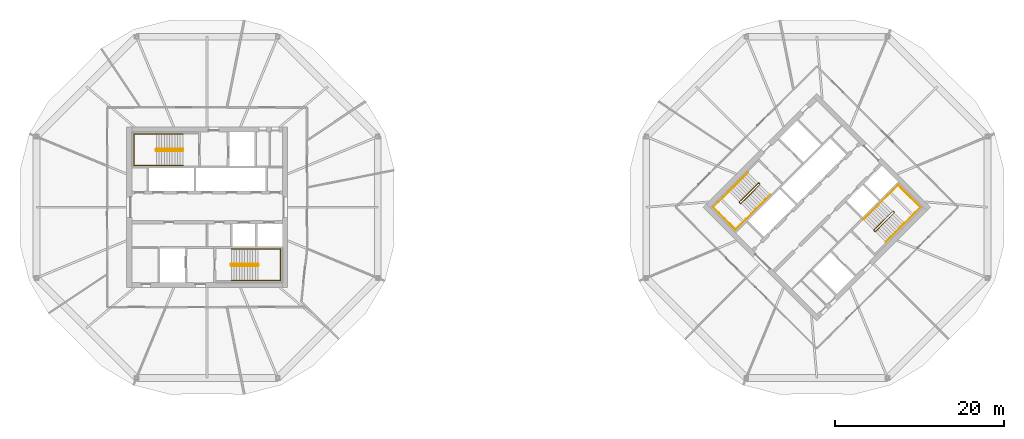
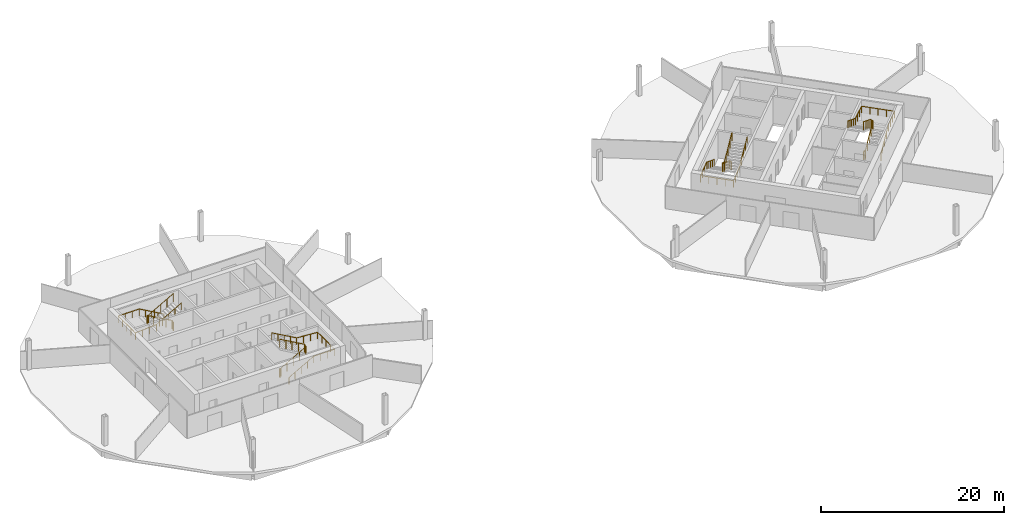
# One storey, part 10 of 10: 8 railings.
"""IFC4 building model written with IfcOpenShell, lengths in metres."""

from ifc_helpers import new_model, si_unit, direction, frame, origin, origin_2d, place, context, subcontext, project, spatial, circle, extrude, material, type_object, element, save


model = new_model("IFC4")

# Units and contexts
model_context = context("Model", 3, precision=1e-05, world=origin(), true_north=direction((0.0, 1.0)))
body_context = subcontext(model_context, "Body", "Model", "MODEL_VIEW")
ifc_project = project(units=[si_unit("LENGTHUNIT", "METRE"), si_unit("AREAUNIT", "SQUARE_METRE"), si_unit("VOLUMEUNIT", "CUBIC_METRE"), si_unit("PLANEANGLEUNIT", "RADIAN"), si_unit("MASSUNIT", "GRAM", prefix="KILO")], contexts=[model_context])

# Site, building, storey
site_placement = place(None, origin())
site = spatial("IfcSite", under=ifc_project, at=site_placement, CompositionType="ELEMENT")
building_placement = place(site_placement, origin())
building = spatial("IfcBuilding", under=site, at=building_placement, Name="Ogive Gate Towers", CompositionType="ELEMENT")
storey_placement = place(building_placement, frame((0.0, 0.0, 173.39990234375)))
storey = spatial("IfcBuildingStorey", under=building, at=storey_placement, Name="L41", CompositionType="ELEMENT", Elevation=173.39990234375)

# Railings
ifc_material = material(Name="Stainless steel", Category="steel")
railing_type_1 = type_object("IfcRailingType", Name="Stair guard 1100", PredefinedType="GUARDRAIL", material=ifc_material)
railing_1_placement = place(storey_placement, frame((-38.81494140625, 6.860107421875, 0.0)))
element("IfcRailing", 1, at=railing_1_placement, inside=storey, type_object=railing_type_1, Name="L41 ST1 stair guard 1", PredefinedType="GUARDRAIL", context=body_context, shape_type="SweptSolid", body=[
    extrude(circle(Radius=0.02392578125, at=origin_2d()), frame((0.0, 0.0, 1.076171875), z_axis=(0.0, -1.0, 0.0), x_axis=(1.0, 0.0, 0.0)), (0.0, 0.0, 1.0), 0.14501953125),
    extrude(circle(Radius=0.02392578125, at=origin_2d()), frame((0.0, -0.14501953125, 1.076171875), z_axis=(-0.186567429962, 0.726247849316, 0.661631812598), x_axis=(-0.968551454522, -0.24881334358, 0.0)), (0.0, 0.0, 1.0), 0.268310546875),
    extrude(circle(Radius=0.02392578125, at=origin_2d()), frame((-0.050048828125, 0.0498046875, 1.25341796875), z_axis=(-0.870572935281, 0.0, 0.492039393094), x_axis=(0.0, -1.0, 0.0)), (0.0, 0.0, 1.0), 3.602783203125),
    extrude(circle(Radius=0.02392578125, at=origin_2d()), frame((-3.1865234375, 0.0498046875, 3.0263671875), z_axis=(-0.707106781187, -0.707106781187, 0.0), x_axis=(0.707106781187, -0.707106781187, 0.0)), (0.0, 0.0, 1.0), 0.0703125),
    extrude(circle(Radius=0.02392578125, at=origin_2d()), frame((-3.236328125, 0.0, 3.0263671875), z_axis=(0.0, -1.0, 0.0), x_axis=(1.0, 0.0, 0.0)), (0.0, 0.0, 1.0), 0.14501953125),
    extrude(circle(Radius=0.02392578125, at=origin_2d()), frame((-3.236328125, -0.14501953125, 3.0263671875), z_axis=(0.261041864531, -0.262321481514, 0.929001929653), x_axis=(0.708833529934, 0.705375805398, 0.0)), (0.0, 0.0, 1.0), 0.190673828125),
    extrude(circle(Radius=0.02392578125, at=origin_2d()), frame((-3.1865234375, -0.195068359375, 3.20361328125), z_axis=(0.870572935281, 0.0, 0.492039393094), x_axis=(0.0, 1.0, 0.0)), (0.0, 0.0, 1.0), 3.602783203125),
    extrude(circle(Radius=0.02099609375, at=origin_2d()), origin(), (0.0, 0.0, 1.0), 1.052001953125),
    extrude(circle(Radius=0.02099609375, at=origin_2d()), frame((0.0, -0.14501953125, 0.0)), (0.0, 0.0, 1.0), 1.052001953125),
    extrude(circle(Radius=0.02099609375, at=origin_2d()), frame((-0.050048828125, 0.0498046875, 0.177490234375)), (0.0, 0.0, 1.0), 1.052001953125),
    extrude(circle(Radius=0.02099609375, at=origin_2d()), frame((-0.834228515625, 0.0498046875, 0.62060546875)), (0.0, 0.0, 1.0), 1.052001953125),
    extrude(circle(Radius=0.02099609375, at=origin_2d()), frame((-1.6181640625, 0.0498046875, 1.06396484375)), (0.0, 0.0, 1.0), 1.052001953125),
    extrude(circle(Radius=0.02099609375, at=origin_2d()), frame((-2.40234375, 0.0498046875, 1.507080078125)), (0.0, 0.0, 1.0), 1.052001953125),
    extrude(circle(Radius=0.02099609375, at=origin_2d()), frame((-3.1865234375, 0.0498046875, 1.9501953125)), (0.0, 0.0, 1.0), 1.052001953125),
    extrude(circle(Radius=0.02099609375, at=origin_2d()), frame((-3.236328125, 0.0, 1.9501953125)), (0.0, 0.0, 1.0), 1.052001953125),
    extrude(circle(Radius=0.02099609375, at=origin_2d()), frame((-3.236328125, -0.14501953125, 1.9501953125)), (0.0, 0.0, 1.0), 1.052001953125),
    extrude(circle(Radius=0.02099609375, at=origin_2d()), frame((-3.1865234375, -0.195068359375, 2.12744140625)), (0.0, 0.0, 1.0), 1.052001953125),
    extrude(circle(Radius=0.02099609375, at=origin_2d()), frame((-2.40234375, -0.195068359375, 2.570556640625)), (0.0, 0.0, 1.0), 1.052001953125),
    extrude(circle(Radius=0.02099609375, at=origin_2d()), frame((-1.6181640625, -0.195068359375, 3.013671875)), (0.0, 0.0, 1.0), 1.052001953125),
    extrude(circle(Radius=0.02099609375, at=origin_2d()), frame((-0.834228515625, -0.195068359375, 3.45703125)), (0.0, 0.0, 1.0), 1.052001953125),
    extrude(circle(Radius=0.02099609375, at=origin_2d()), frame((-0.050048828125, -0.195068359375, 3.900146484375)), (0.0, 0.0, 1.0), 1.052001953125),
])
railing_2_placement = place(storey_placement, frame((-33.18505859375, -6.860107421875, 0.0)))
element("IfcRailing", 2, at=railing_2_placement, inside=storey, type_object=railing_type_1, Name="L41 ST2 stair guard 1", PredefinedType="GUARDRAIL", context=body_context, shape_type="SweptSolid", body=[
    extrude(circle(Radius=0.02392578125, at=origin_2d()), frame((0.0, 0.0, 1.076171875), z_axis=(0.0, 1.0, 0.0), x_axis=(-1.0, 0.0, 0.0)), (0.0, 0.0, 1.0), 0.14501953125),
    extrude(circle(Radius=0.02392578125, at=origin_2d()), frame((0.0, 0.14501953125, 1.076171875), z_axis=(0.186567429962, -0.726247849316, 0.661631812598), x_axis=(0.968551454522, 0.24881334358, 0.0)), (0.0, 0.0, 1.0), 0.268310546875),
    extrude(circle(Radius=0.02392578125, at=origin_2d()), frame((0.050048828125, -0.0498046875, 1.25341796875), z_axis=(0.870572935281, 0.0, 0.492039393094), x_axis=(0.0, 1.0, 0.0)), (0.0, 0.0, 1.0), 3.602783203125),
    extrude(circle(Radius=0.02392578125, at=origin_2d()), frame((3.1865234375, -0.0498046875, 3.0263671875), z_axis=(0.707106781187, 0.707106781187, 0.0), x_axis=(-0.707106781187, 0.707106781187, 0.0)), (0.0, 0.0, 1.0), 0.0703125),
    extrude(circle(Radius=0.02392578125, at=origin_2d()), frame((3.236328125, 0.0, 3.0263671875), z_axis=(0.0, 1.0, 0.0), x_axis=(-1.0, 0.0, 0.0)), (0.0, 0.0, 1.0), 0.14501953125),
    extrude(circle(Radius=0.02392578125, at=origin_2d()), frame((3.236328125, 0.14501953125, 3.0263671875), z_axis=(-0.261041864531, 0.262321481514, 0.929001929653), x_axis=(-0.708833529934, -0.705375805398, 0.0)), (0.0, 0.0, 1.0), 0.190673828125),
    extrude(circle(Radius=0.02392578125, at=origin_2d()), frame((3.1865234375, 0.195068359375, 3.20361328125), z_axis=(-0.870572935281, 0.0, 0.492039393094), x_axis=(0.0, -1.0, 0.0)), (0.0, 0.0, 1.0), 3.602783203125),
    extrude(circle(Radius=0.02099609375, at=origin_2d()), origin(), (0.0, 0.0, 1.0), 1.052001953125),
    extrude(circle(Radius=0.02099609375, at=origin_2d()), frame((0.0, 0.14501953125, 0.0)), (0.0, 0.0, 1.0), 1.052001953125),
    extrude(circle(Radius=0.02099609375, at=origin_2d()), frame((0.050048828125, -0.0498046875, 0.177490234375)), (0.0, 0.0, 1.0), 1.052001953125),
    extrude(circle(Radius=0.02099609375, at=origin_2d()), frame((0.834228515625, -0.0498046875, 0.62060546875)), (0.0, 0.0, 1.0), 1.052001953125),
    extrude(circle(Radius=0.02099609375, at=origin_2d()), frame((1.6181640625, -0.0498046875, 1.06396484375)), (0.0, 0.0, 1.0), 1.052001953125),
    extrude(circle(Radius=0.02099609375, at=origin_2d()), frame((2.40234375, -0.0498046875, 1.507080078125)), (0.0, 0.0, 1.0), 1.052001953125),
    extrude(circle(Radius=0.02099609375, at=origin_2d()), frame((3.1865234375, -0.0498046875, 1.9501953125)), (0.0, 0.0, 1.0), 1.052001953125),
    extrude(circle(Radius=0.02099609375, at=origin_2d()), frame((3.236328125, 0.0, 1.9501953125)), (0.0, 0.0, 1.0), 1.052001953125),
    extrude(circle(Radius=0.02099609375, at=origin_2d()), frame((3.236328125, 0.14501953125, 1.9501953125)), (0.0, 0.0, 1.0), 1.052001953125),
    extrude(circle(Radius=0.02099609375, at=origin_2d()), frame((3.1865234375, 0.195068359375, 2.12744140625)), (0.0, 0.0, 1.0), 1.052001953125),
    extrude(circle(Radius=0.02099609375, at=origin_2d()), frame((2.40234375, 0.195068359375, 2.570556640625)), (0.0, 0.0, 1.0), 1.052001953125),
    extrude(circle(Radius=0.02099609375, at=origin_2d()), frame((1.6181640625, 0.195068359375, 3.013671875)), (0.0, 0.0, 1.0), 1.052001953125),
    extrude(circle(Radius=0.02099609375, at=origin_2d()), frame((0.834228515625, 0.195068359375, 3.45703125)), (0.0, 0.0, 1.0), 1.052001953125),
    extrude(circle(Radius=0.02099609375, at=origin_2d()), frame((0.050048828125, 0.195068359375, 3.900146484375)), (0.0, 0.0, 1.0), 1.052001953125),
])
railing_3_placement = place(storey_placement, frame((29.15869140625, 2.8603515625, 0.0)))
element("IfcRailing", 3, at=railing_3_placement, inside=storey, type_object=railing_type_1, Name="L41 ST1 stair guard 1", PredefinedType="GUARDRAIL", context=body_context, shape_type="SweptSolid", body=[
    extrude(circle(Radius=0.02392578125, at=origin_2d()), frame((0.0, 0.0, 1.076171875), z_axis=(0.707106781187, -0.707106781187, 0.0), x_axis=(0.707106781187, 0.707106781187, 0.0)), (0.0, 0.0, 1.0), 0.14501953125),
    extrude(circle(Radius=0.02392578125, at=origin_2d()), frame((0.1025390625, -0.1025390625, 1.076171875), z_axis=(-0.645182954318, 0.382195826253, 0.661562775443), x_axis=(-0.509669330572, -0.860370369942, 0.0)), (0.0, 0.0, 1.0), 0.268310546875),
    extrude(circle(Radius=0.02392578125, at=origin_2d()), frame((-0.070556640625, 0.0, 1.25341796875), z_axis=(-0.61558473135, -0.61558473135, 0.49204763698), x_axis=(0.707106781187, -0.707106781187, 0.0)), (0.0, 0.0, 1.0), 3.602783203125),
    extrude(circle(Radius=0.02392578125, at=origin_2d()), frame((-2.288330078125, -2.2177734375, 3.0263671875), z_axis=(0.0, -1.0, 0.0), x_axis=(1.0, 0.0, 0.0)), (0.0, 0.0, 1.0), 0.07080078125),
    extrude(circle(Radius=0.02392578125, at=origin_2d()), frame((-2.288330078125, -2.28857421875, 3.0263671875), z_axis=(0.707106781187, -0.707106781187, 0.0), x_axis=(0.707106781187, 0.707106781187, 0.0)), (0.0, 0.0, 1.0), 0.14501953125),
    extrude(circle(Radius=0.02392578125, at=origin_2d()), frame((-2.185791015625, -2.39111328125, 3.0263671875), z_axis=(0.369845645421, 0.0, 0.929093213065), x_axis=(0.0, 1.0, 0.0)), (0.0, 0.0, 1.0), 0.190673828125),
    extrude(circle(Radius=0.02392578125, at=origin_2d()), frame((-2.115234375, -2.39111328125, 3.20361328125), z_axis=(0.61558473135, 0.61558473135, 0.49204763698), x_axis=(-0.707106781187, 0.707106781187, 0.0)), (0.0, 0.0, 1.0), 3.602783203125),
    extrude(circle(Radius=0.02099609375, at=origin_2d()), origin(), (0.0, 0.0, 1.0), 1.052001953125),
    extrude(circle(Radius=0.02099609375, at=origin_2d()), frame((0.1025390625, -0.1025390625, 0.0)), (0.0, 0.0, 1.0), 1.052001953125),
    extrude(circle(Radius=0.02099609375, at=origin_2d()), frame((-0.070556640625, 0.0, 0.177490234375)), (0.0, 0.0, 1.0), 1.052001953125),
    extrude(circle(Radius=0.02099609375, at=origin_2d()), frame((-0.625, -0.554443359375, 0.62060546875)), (0.0, 0.0, 1.0), 1.052001953125),
    extrude(circle(Radius=0.02099609375, at=origin_2d()), frame((-1.179443359375, -1.10888671875, 1.06396484375)), (0.0, 0.0, 1.0), 1.052001953125),
    extrude(circle(Radius=0.02099609375, at=origin_2d()), frame((-1.73388671875, -1.663330078125, 1.507080078125)), (0.0, 0.0, 1.0), 1.052001953125),
    extrude(circle(Radius=0.02099609375, at=origin_2d()), frame((-2.288330078125, -2.2177734375, 1.9501953125)), (0.0, 0.0, 1.0), 1.052001953125),
    extrude(circle(Radius=0.02099609375, at=origin_2d()), frame((-2.288330078125, -2.28857421875, 1.9501953125)), (0.0, 0.0, 1.0), 1.052001953125),
    extrude(circle(Radius=0.02099609375, at=origin_2d()), frame((-2.185791015625, -2.39111328125, 1.9501953125)), (0.0, 0.0, 1.0), 1.052001953125),
    extrude(circle(Radius=0.02099609375, at=origin_2d()), frame((-2.115234375, -2.39111328125, 2.12744140625)), (0.0, 0.0, 1.0), 1.052001953125),
    extrude(circle(Radius=0.02099609375, at=origin_2d()), frame((-1.560791015625, -1.836669921875, 2.570556640625)), (0.0, 0.0, 1.0), 1.052001953125),
    extrude(circle(Radius=0.02099609375, at=origin_2d()), frame((-1.00634765625, -1.2822265625, 3.013671875)), (0.0, 0.0, 1.0), 1.052001953125),
    extrude(circle(Radius=0.02099609375, at=origin_2d()), frame((-0.451904296875, -0.727783203125, 3.45703125)), (0.0, 0.0, 1.0), 1.052001953125),
    extrude(circle(Radius=0.02099609375, at=origin_2d()), frame((0.1025390625, -0.17333984375, 3.900146484375)), (0.0, 0.0, 1.0), 1.052001953125),
])
railing_4_placement = place(storey_placement, frame((42.84130859375, -2.8603515625, 0.0)))
element("IfcRailing", 4, at=railing_4_placement, inside=storey, type_object=railing_type_1, Name="L41 ST2 stair guard 1", PredefinedType="GUARDRAIL", context=body_context, shape_type="SweptSolid", body=[
    extrude(circle(Radius=0.02392578125, at=origin_2d()), frame((0.0, 0.0, 1.076171875), z_axis=(-0.707106781187, 0.707106781187, 0.0), x_axis=(-0.707106781187, -0.707106781187, 0.0)), (0.0, 0.0, 1.0), 0.14501953125),
    extrude(circle(Radius=0.02392578125, at=origin_2d()), frame((-0.1025390625, 0.1025390625, 1.076171875), z_axis=(0.645182954318, -0.382195826253, 0.661562775443), x_axis=(0.509669330572, 0.860370369942, 0.0)), (0.0, 0.0, 1.0), 0.268310546875),
    extrude(circle(Radius=0.02392578125, at=origin_2d()), frame((0.070556640625, 0.0, 1.25341796875), z_axis=(0.61558473135, 0.61558473135, 0.49204763698), x_axis=(-0.707106781187, 0.707106781187, 0.0)), (0.0, 0.0, 1.0), 3.602783203125),
    extrude(circle(Radius=0.02392578125, at=origin_2d()), frame((2.288330078125, 2.2177734375, 3.0263671875), z_axis=(0.0, 1.0, 0.0), x_axis=(-1.0, 0.0, 0.0)), (0.0, 0.0, 1.0), 0.07080078125),
    extrude(circle(Radius=0.02392578125, at=origin_2d()), frame((2.288330078125, 2.28857421875, 3.0263671875), z_axis=(-0.707106781187, 0.707106781187, 0.0), x_axis=(-0.707106781187, -0.707106781187, 0.0)), (0.0, 0.0, 1.0), 0.14501953125),
    extrude(circle(Radius=0.02392578125, at=origin_2d()), frame((2.185791015625, 2.39111328125, 3.0263671875), z_axis=(-0.369845645421, 0.0, 0.929093213065), x_axis=(0.0, -1.0, 0.0)), (0.0, 0.0, 1.0), 0.190673828125),
    extrude(circle(Radius=0.02392578125, at=origin_2d()), frame((2.115234375, 2.39111328125, 3.20361328125), z_axis=(-0.61558473135, -0.61558473135, 0.49204763698), x_axis=(0.707106781187, -0.707106781187, 0.0)), (0.0, 0.0, 1.0), 3.602783203125),
    extrude(circle(Radius=0.02099609375, at=origin_2d()), origin(), (0.0, 0.0, 1.0), 1.052001953125),
    extrude(circle(Radius=0.02099609375, at=origin_2d()), frame((-0.1025390625, 0.1025390625, 0.0)), (0.0, 0.0, 1.0), 1.052001953125),
    extrude(circle(Radius=0.02099609375, at=origin_2d()), frame((0.070556640625, 0.0, 0.177490234375)), (0.0, 0.0, 1.0), 1.052001953125),
    extrude(circle(Radius=0.02099609375, at=origin_2d()), frame((0.625, 0.554443359375, 0.62060546875)), (0.0, 0.0, 1.0), 1.052001953125),
    extrude(circle(Radius=0.02099609375, at=origin_2d()), frame((1.179443359375, 1.10888671875, 1.06396484375)), (0.0, 0.0, 1.0), 1.052001953125),
    extrude(circle(Radius=0.02099609375, at=origin_2d()), frame((1.73388671875, 1.663330078125, 1.507080078125)), (0.0, 0.0, 1.0), 1.052001953125),
    extrude(circle(Radius=0.02099609375, at=origin_2d()), frame((2.288330078125, 2.2177734375, 1.9501953125)), (0.0, 0.0, 1.0), 1.052001953125),
    extrude(circle(Radius=0.02099609375, at=origin_2d()), frame((2.288330078125, 2.28857421875, 1.9501953125)), (0.0, 0.0, 1.0), 1.052001953125),
    extrude(circle(Radius=0.02099609375, at=origin_2d()), frame((2.185791015625, 2.39111328125, 1.9501953125)), (0.0, 0.0, 1.0), 1.052001953125),
    extrude(circle(Radius=0.02099609375, at=origin_2d()), frame((2.115234375, 2.39111328125, 2.12744140625)), (0.0, 0.0, 1.0), 1.052001953125),
    extrude(circle(Radius=0.02099609375, at=origin_2d()), frame((1.560791015625, 1.836669921875, 2.570556640625)), (0.0, 0.0, 1.0), 1.052001953125),
    extrude(circle(Radius=0.02099609375, at=origin_2d()), frame((1.00634765625, 1.2822265625, 3.013671875)), (0.0, 0.0, 1.0), 1.052001953125),
    extrude(circle(Radius=0.02099609375, at=origin_2d()), frame((0.451904296875, 0.727783203125, 3.45703125)), (0.0, 0.0, 1.0), 1.052001953125),
    extrude(circle(Radius=0.02099609375, at=origin_2d()), frame((-0.1025390625, 0.17333984375, 3.900146484375)), (0.0, 0.0, 1.0), 1.052001953125),
])
railing_type_2 = type_object("IfcRailingType", Name="Stair handrail 900", PredefinedType="HANDRAIL", material=ifc_material)
railing_5_placement = place(storey_placement, frame((-38.864990234375, 8.64990234375, 0.177490234375)))
element("IfcRailing", 5, at=railing_5_placement, inside=storey, type_object=railing_type_2, Name="L41 ST1 stair handrail 1", PredefinedType="HANDRAIL", context=body_context, shape_type="SweptSolid", body=[
    extrude(circle(Radius=0.02392578125, at=origin_2d()), frame((0.0, 0.0, 0.8759765625), z_axis=(-0.870572935281, 0.0, 0.492039393094), x_axis=(0.0, -1.0, 0.0)), (0.0, 0.0, 1.0), 3.602783203125),
    extrude(circle(Radius=0.02392578125, at=origin_2d()), frame((-3.136474609375, 0.0, 2.6484375), z_axis=(-1.0, 0.0, 0.0), x_axis=(0.0, -1.0, 0.0)), (0.0, 0.0, 1.0), 2.6484375),
    extrude(circle(Radius=0.02392578125, at=origin_2d()), frame((-5.784912109375, 0.0, 2.6484375), z_axis=(0.0, -1.0, 0.0), x_axis=(1.0, 0.0, 0.0)), (0.0, 0.0, 1.0), 3.724853515625),
    extrude(circle(Radius=0.02392578125, at=origin_2d()), frame((-5.784912109375, -3.724853515625, 2.6484375), z_axis=(0.997768031817, 0.0, 0.066775404784), x_axis=(0.0, 1.0, 0.0)), (0.0, 0.0, 1.0), 2.654296875),
    extrude(circle(Radius=0.02392578125, at=origin_2d()), frame((-3.136474609375, -3.724853515625, 2.82568359375), z_axis=(0.870572935281, 0.0, 0.492039393094), x_axis=(0.0, 1.0, 0.0)), (0.0, 0.0, 1.0), 3.602783203125),
    extrude(circle(Radius=0.02099609375, at=origin_2d()), origin(), (0.0, 0.0, 1.0), 0.851806640625),
    extrude(circle(Radius=0.02099609375, at=origin_2d()), frame((-0.7841796875, 0.0, 0.443115234375)), (0.0, 0.0, 1.0), 0.851806640625),
    extrude(circle(Radius=0.02099609375, at=origin_2d()), frame((-1.568359375, 0.0, 0.88623046875)), (0.0, 0.0, 1.0), 0.851806640625),
    extrude(circle(Radius=0.02099609375, at=origin_2d()), frame((-2.352294921875, 0.0, 1.32958984375)), (0.0, 0.0, 1.0), 0.851806640625),
    extrude(circle(Radius=0.02099609375, at=origin_2d()), frame((-3.136474609375, 0.0, 1.772705078125)), (0.0, 0.0, 1.0), 0.851806640625),
    extrude(circle(Radius=0.02099609375, at=origin_2d()), frame((-4.019287109375, 0.0, 1.772705078125)), (0.0, 0.0, 1.0), 0.851806640625),
    extrude(circle(Radius=0.02099609375, at=origin_2d()), frame((-4.902099609375, 0.0, 1.772705078125)), (0.0, 0.0, 1.0), 0.851806640625),
    extrude(circle(Radius=0.02099609375, at=origin_2d()), frame((-5.784912109375, 0.0, 1.772705078125)), (0.0, 0.0, 1.0), 0.851806640625),
    extrude(circle(Radius=0.02099609375, at=origin_2d()), frame((-5.784912109375, -0.93115234375, 1.772705078125)), (0.0, 0.0, 1.0), 0.851806640625),
    extrude(circle(Radius=0.02099609375, at=origin_2d()), frame((-5.784912109375, -1.8623046875, 1.772705078125)), (0.0, 0.0, 1.0), 0.851806640625),
    extrude(circle(Radius=0.02099609375, at=origin_2d()), frame((-5.784912109375, -2.793701171875, 1.772705078125)), (0.0, 0.0, 1.0), 0.851806640625),
    extrude(circle(Radius=0.02099609375, at=origin_2d()), frame((-5.784912109375, -3.724853515625, 1.772705078125)), (0.0, 0.0, 1.0), 0.851806640625),
    extrude(circle(Radius=0.02099609375, at=origin_2d()), frame((-4.902099609375, -3.724853515625, 1.831787109375)), (0.0, 0.0, 1.0), 0.851806640625),
    extrude(circle(Radius=0.02099609375, at=origin_2d()), frame((-4.019287109375, -3.724853515625, 1.890869140625)), (0.0, 0.0, 1.0), 0.851806640625),
    extrude(circle(Radius=0.02099609375, at=origin_2d()), frame((-3.136474609375, -3.724853515625, 1.949951171875)), (0.0, 0.0, 1.0), 0.851806640625),
    extrude(circle(Radius=0.02099609375, at=origin_2d()), frame((-2.352294921875, -3.724853515625, 2.39306640625)), (0.0, 0.0, 1.0), 0.851806640625),
    extrude(circle(Radius=0.02099609375, at=origin_2d()), frame((-1.568359375, -3.724853515625, 2.83642578125)), (0.0, 0.0, 1.0), 0.851806640625),
    extrude(circle(Radius=0.02099609375, at=origin_2d()), frame((-0.7841796875, -3.724853515625, 3.279541015625)), (0.0, 0.0, 1.0), 0.851806640625),
    extrude(circle(Radius=0.02099609375, at=origin_2d()), frame((0.0, -3.724853515625, 3.72265625)), (0.0, 0.0, 1.0), 0.851806640625),
])
railing_6_placement = place(storey_placement, frame((-33.135009765625, -8.64990234375, 0.177490234375)))
element("IfcRailing", 6, at=railing_6_placement, inside=storey, type_object=railing_type_2, Name="L41 ST2 stair handrail 1", PredefinedType="HANDRAIL", context=body_context, shape_type="SweptSolid", body=[
    extrude(circle(Radius=0.02392578125, at=origin_2d()), frame((0.0, 0.0, 0.8759765625), z_axis=(0.870572935281, 0.0, 0.492039393094), x_axis=(0.0, 1.0, 0.0)), (0.0, 0.0, 1.0), 3.602783203125),
    extrude(circle(Radius=0.02392578125, at=origin_2d()), frame((3.136474609375, 0.0, 2.6484375), z_axis=(1.0, 0.0, 0.0), x_axis=(0.0, 1.0, 0.0)), (0.0, 0.0, 1.0), 2.6484375),
    extrude(circle(Radius=0.02392578125, at=origin_2d()), frame((5.784912109375, 0.0, 2.6484375), z_axis=(0.0, 1.0, 0.0), x_axis=(-1.0, 0.0, 0.0)), (0.0, 0.0, 1.0), 3.724853515625),
    extrude(circle(Radius=0.02392578125, at=origin_2d()), frame((5.784912109375, 3.724853515625, 2.6484375), z_axis=(-0.997768031817, 0.0, 0.066775404784), x_axis=(0.0, -1.0, 0.0)), (0.0, 0.0, 1.0), 2.654296875),
    extrude(circle(Radius=0.02392578125, at=origin_2d()), frame((3.136474609375, 3.724853515625, 2.82568359375), z_axis=(-0.870572935281, 0.0, 0.492039393094), x_axis=(0.0, -1.0, 0.0)), (0.0, 0.0, 1.0), 3.602783203125),
    extrude(circle(Radius=0.02099609375, at=origin_2d()), origin(), (0.0, 0.0, 1.0), 0.851806640625),
    extrude(circle(Radius=0.02099609375, at=origin_2d()), frame((0.7841796875, 0.0, 0.443115234375)), (0.0, 0.0, 1.0), 0.851806640625),
    extrude(circle(Radius=0.02099609375, at=origin_2d()), frame((1.568359375, 0.0, 0.88623046875)), (0.0, 0.0, 1.0), 0.851806640625),
    extrude(circle(Radius=0.02099609375, at=origin_2d()), frame((2.352294921875, 0.0, 1.32958984375)), (0.0, 0.0, 1.0), 0.851806640625),
    extrude(circle(Radius=0.02099609375, at=origin_2d()), frame((3.136474609375, 0.0, 1.772705078125)), (0.0, 0.0, 1.0), 0.851806640625),
    extrude(circle(Radius=0.02099609375, at=origin_2d()), frame((4.019287109375, 0.0, 1.772705078125)), (0.0, 0.0, 1.0), 0.851806640625),
    extrude(circle(Radius=0.02099609375, at=origin_2d()), frame((4.902099609375, 0.0, 1.772705078125)), (0.0, 0.0, 1.0), 0.851806640625),
    extrude(circle(Radius=0.02099609375, at=origin_2d()), frame((5.784912109375, 0.0, 1.772705078125)), (0.0, 0.0, 1.0), 0.851806640625),
    extrude(circle(Radius=0.02099609375, at=origin_2d()), frame((5.784912109375, 0.93115234375, 1.772705078125)), (0.0, 0.0, 1.0), 0.851806640625),
    extrude(circle(Radius=0.02099609375, at=origin_2d()), frame((5.784912109375, 1.8623046875, 1.772705078125)), (0.0, 0.0, 1.0), 0.851806640625),
    extrude(circle(Radius=0.02099609375, at=origin_2d()), frame((5.784912109375, 2.793701171875, 1.772705078125)), (0.0, 0.0, 1.0), 0.851806640625),
    extrude(circle(Radius=0.02099609375, at=origin_2d()), frame((5.784912109375, 3.724853515625, 1.772705078125)), (0.0, 0.0, 1.0), 0.851806640625),
    extrude(circle(Radius=0.02099609375, at=origin_2d()), frame((4.902099609375, 3.724853515625, 1.831787109375)), (0.0, 0.0, 1.0), 0.851806640625),
    extrude(circle(Radius=0.02099609375, at=origin_2d()), frame((4.019287109375, 3.724853515625, 1.890869140625)), (0.0, 0.0, 1.0), 0.851806640625),
    extrude(circle(Radius=0.02099609375, at=origin_2d()), frame((3.136474609375, 3.724853515625, 1.949951171875)), (0.0, 0.0, 1.0), 0.851806640625),
    extrude(circle(Radius=0.02099609375, at=origin_2d()), frame((2.352294921875, 3.724853515625, 2.39306640625)), (0.0, 0.0, 1.0), 0.851806640625),
    extrude(circle(Radius=0.02099609375, at=origin_2d()), frame((1.568359375, 3.724853515625, 2.83642578125)), (0.0, 0.0, 1.0), 0.851806640625),
    extrude(circle(Radius=0.02099609375, at=origin_2d()), frame((0.7841796875, 3.724853515625, 3.279541015625)), (0.0, 0.0, 1.0), 0.851806640625),
    extrude(circle(Radius=0.02099609375, at=origin_2d()), frame((0.0, 3.724853515625, 3.72265625)), (0.0, 0.0, 1.0), 0.851806640625),
])
railing_7_placement = place(storey_placement, frame((27.857666015625, 4.090576171875, 0.177490234375)))
element("IfcRailing", 7, at=railing_7_placement, inside=storey, type_object=railing_type_2, Name="L41 ST1 stair handrail 1", PredefinedType="HANDRAIL", context=body_context, shape_type="SweptSolid", body=[
    extrude(circle(Radius=0.02392578125, at=origin_2d()), frame((0.0, 0.0, 0.8759765625), z_axis=(-0.61558473135, -0.61558473135, 0.49204763698), x_axis=(0.707106781187, -0.707106781187, 0.0)), (0.0, 0.0, 1.0), 3.602783203125),
    extrude(circle(Radius=0.02392578125, at=origin_2d()), frame((-2.2177734375, -2.2177734375, 2.6484375), z_axis=(-0.707106781187, -0.707106781187, 0.0), x_axis=(0.707106781187, -0.707106781187, 0.0)), (0.0, 0.0, 1.0), 2.6484375),
    extrude(circle(Radius=0.02392578125, at=origin_2d()), frame((-4.090576171875, -4.090576171875, 2.6484375), z_axis=(0.707106781187, -0.707106781187, 0.0), x_axis=(0.707106781187, 0.707106781187, 0.0)), (0.0, 0.0, 1.0), 3.72509765625),
    extrude(circle(Radius=0.02392578125, at=origin_2d()), frame((-1.45654296875, -6.724609375, 2.6484375), z_axis=(0.705482886452, 0.705574853978, 0.066768423356), x_axis=(-0.70715286629, 0.70706069308, 0.0)), (0.0, 0.0, 1.0), 2.654541015625),
    extrude(circle(Radius=0.02392578125, at=origin_2d()), frame((0.416259765625, -4.8515625, 2.82568359375), z_axis=(0.615610411033, 0.615542642384, 0.4920681632), x_axis=(-0.70706785752, 0.70714570271, 0.0)), (0.0, 0.0, 1.0), 3.6025390625),
    extrude(circle(Radius=0.02099609375, at=origin_2d()), origin(), (0.0, 0.0, 1.0), 0.851806640625),
    extrude(circle(Radius=0.02099609375, at=origin_2d()), frame((-0.554443359375, -0.554443359375, 0.443115234375)), (0.0, 0.0, 1.0), 0.851806640625),
    extrude(circle(Radius=0.02099609375, at=origin_2d()), frame((-1.10888671875, -1.10888671875, 0.88623046875)), (0.0, 0.0, 1.0), 0.851806640625),
    extrude(circle(Radius=0.02099609375, at=origin_2d()), frame((-1.663330078125, -1.663330078125, 1.32958984375)), (0.0, 0.0, 1.0), 0.851806640625),
    extrude(circle(Radius=0.02099609375, at=origin_2d()), frame((-2.2177734375, -2.2177734375, 1.772705078125)), (0.0, 0.0, 1.0), 0.851806640625),
    extrude(circle(Radius=0.02099609375, at=origin_2d()), frame((-2.842041015625, -2.842041015625, 1.772705078125)), (0.0, 0.0, 1.0), 0.851806640625),
    extrude(circle(Radius=0.02099609375, at=origin_2d()), frame((-3.46630859375, -3.46630859375, 1.772705078125)), (0.0, 0.0, 1.0), 0.851806640625),
    extrude(circle(Radius=0.02099609375, at=origin_2d()), frame((-4.090576171875, -4.090576171875, 1.772705078125)), (0.0, 0.0, 1.0), 0.851806640625),
    extrude(circle(Radius=0.02099609375, at=origin_2d()), frame((-3.43212890625, -4.7490234375, 1.772705078125)), (0.0, 0.0, 1.0), 0.851806640625),
    extrude(circle(Radius=0.02099609375, at=origin_2d()), frame((-2.7734375, -5.40771484375, 1.772705078125)), (0.0, 0.0, 1.0), 0.851806640625),
    extrude(circle(Radius=0.02099609375, at=origin_2d()), frame((-2.114990234375, -6.066162109375, 1.772705078125)), (0.0, 0.0, 1.0), 0.851806640625),
    extrude(circle(Radius=0.02099609375, at=origin_2d()), frame((-1.45654296875, -6.724609375, 1.772705078125)), (0.0, 0.0, 1.0), 0.851806640625),
    extrude(circle(Radius=0.02099609375, at=origin_2d()), frame((-0.832275390625, -6.100341796875, 1.831787109375)), (0.0, 0.0, 1.0), 0.851806640625),
    extrude(circle(Radius=0.02099609375, at=origin_2d()), frame((-0.2080078125, -5.475830078125, 1.890869140625)), (0.0, 0.0, 1.0), 0.851806640625),
    extrude(circle(Radius=0.02099609375, at=origin_2d()), frame((0.416259765625, -4.8515625, 1.949951171875)), (0.0, 0.0, 1.0), 0.851806640625),
    extrude(circle(Radius=0.02099609375, at=origin_2d()), frame((0.970703125, -4.297119140625, 2.39306640625)), (0.0, 0.0, 1.0), 0.851806640625),
    extrude(circle(Radius=0.02099609375, at=origin_2d()), frame((1.525146484375, -3.74267578125, 2.83642578125)), (0.0, 0.0, 1.0), 0.851806640625),
    extrude(circle(Radius=0.02099609375, at=origin_2d()), frame((2.07958984375, -3.1884765625, 3.279541015625)), (0.0, 0.0, 1.0), 0.851806640625),
    extrude(circle(Radius=0.02099609375, at=origin_2d()), frame((2.634033203125, -2.634033203125, 3.72265625)), (0.0, 0.0, 1.0), 0.851806640625),
])
railing_8_placement = place(storey_placement, frame((44.142333984375, -4.090576171875, 0.177490234375)))
element("IfcRailing", 8, at=railing_8_placement, inside=storey, type_object=railing_type_2, Name="L41 ST2 stair handrail 1", PredefinedType="HANDRAIL", context=body_context, shape_type="SweptSolid", body=[
    extrude(circle(Radius=0.02392578125, at=origin_2d()), frame((0.0, 0.0, 0.8759765625), z_axis=(0.61558473135, 0.61558473135, 0.49204763698), x_axis=(-0.707106781187, 0.707106781187, 0.0)), (0.0, 0.0, 1.0), 3.602783203125),
    extrude(circle(Radius=0.02392578125, at=origin_2d()), frame((2.2177734375, 2.2177734375, 2.6484375), z_axis=(0.707106781187, 0.707106781187, 0.0), x_axis=(-0.707106781187, 0.707106781187, 0.0)), (0.0, 0.0, 1.0), 2.6484375),
    extrude(circle(Radius=0.02392578125, at=origin_2d()), frame((4.090576171875, 4.090576171875, 2.6484375), z_axis=(-0.707106781187, 0.707106781187, 0.0), x_axis=(-0.707106781187, -0.707106781187, 0.0)), (0.0, 0.0, 1.0), 3.72509765625),
    extrude(circle(Radius=0.02392578125, at=origin_2d()), frame((1.45654296875, 6.724609375, 2.6484375), z_axis=(-0.705482886452, -0.705574853978, 0.066768423356), x_axis=(0.70715286629, -0.70706069308, 0.0)), (0.0, 0.0, 1.0), 2.654541015625),
    extrude(circle(Radius=0.02392578125, at=origin_2d()), frame((-0.416259765625, 4.8515625, 2.82568359375), z_axis=(-0.615610411033, -0.615542642384, 0.4920681632), x_axis=(0.70706785752, -0.70714570271, 0.0)), (0.0, 0.0, 1.0), 3.6025390625),
    extrude(circle(Radius=0.02099609375, at=origin_2d()), origin(), (0.0, 0.0, 1.0), 0.851806640625),
    extrude(circle(Radius=0.02099609375, at=origin_2d()), frame((0.554443359375, 0.554443359375, 0.443115234375)), (0.0, 0.0, 1.0), 0.851806640625),
    extrude(circle(Radius=0.02099609375, at=origin_2d()), frame((1.10888671875, 1.10888671875, 0.88623046875)), (0.0, 0.0, 1.0), 0.851806640625),
    extrude(circle(Radius=0.02099609375, at=origin_2d()), frame((1.663330078125, 1.663330078125, 1.32958984375)), (0.0, 0.0, 1.0), 0.851806640625),
    extrude(circle(Radius=0.02099609375, at=origin_2d()), frame((2.2177734375, 2.2177734375, 1.772705078125)), (0.0, 0.0, 1.0), 0.851806640625),
    extrude(circle(Radius=0.02099609375, at=origin_2d()), frame((2.842041015625, 2.842041015625, 1.772705078125)), (0.0, 0.0, 1.0), 0.851806640625),
    extrude(circle(Radius=0.02099609375, at=origin_2d()), frame((3.46630859375, 3.46630859375, 1.772705078125)), (0.0, 0.0, 1.0), 0.851806640625),
    extrude(circle(Radius=0.02099609375, at=origin_2d()), frame((4.090576171875, 4.090576171875, 1.772705078125)), (0.0, 0.0, 1.0), 0.851806640625),
    extrude(circle(Radius=0.02099609375, at=origin_2d()), frame((3.43212890625, 4.7490234375, 1.772705078125)), (0.0, 0.0, 1.0), 0.851806640625),
    extrude(circle(Radius=0.02099609375, at=origin_2d()), frame((2.7734375, 5.40771484375, 1.772705078125)), (0.0, 0.0, 1.0), 0.851806640625),
    extrude(circle(Radius=0.02099609375, at=origin_2d()), frame((2.114990234375, 6.066162109375, 1.772705078125)), (0.0, 0.0, 1.0), 0.851806640625),
    extrude(circle(Radius=0.02099609375, at=origin_2d()), frame((1.45654296875, 6.724609375, 1.772705078125)), (0.0, 0.0, 1.0), 0.851806640625),
    extrude(circle(Radius=0.02099609375, at=origin_2d()), frame((0.832275390625, 6.100341796875, 1.831787109375)), (0.0, 0.0, 1.0), 0.851806640625),
    extrude(circle(Radius=0.02099609375, at=origin_2d()), frame((0.2080078125, 5.475830078125, 1.890869140625)), (0.0, 0.0, 1.0), 0.851806640625),
    extrude(circle(Radius=0.02099609375, at=origin_2d()), frame((-0.416259765625, 4.8515625, 1.949951171875)), (0.0, 0.0, 1.0), 0.851806640625),
    extrude(circle(Radius=0.02099609375, at=origin_2d()), frame((-0.970703125, 4.297119140625, 2.39306640625)), (0.0, 0.0, 1.0), 0.851806640625),
    extrude(circle(Radius=0.02099609375, at=origin_2d()), frame((-1.525146484375, 3.74267578125, 2.83642578125)), (0.0, 0.0, 1.0), 0.851806640625),
    extrude(circle(Radius=0.02099609375, at=origin_2d()), frame((-2.07958984375, 3.1884765625, 3.279541015625)), (0.0, 0.0, 1.0), 0.851806640625),
    extrude(circle(Radius=0.02099609375, at=origin_2d()), frame((-2.634033203125, 2.634033203125, 3.72265625)), (0.0, 0.0, 1.0), 0.851806640625),
])

save(model, "model.ifc")
